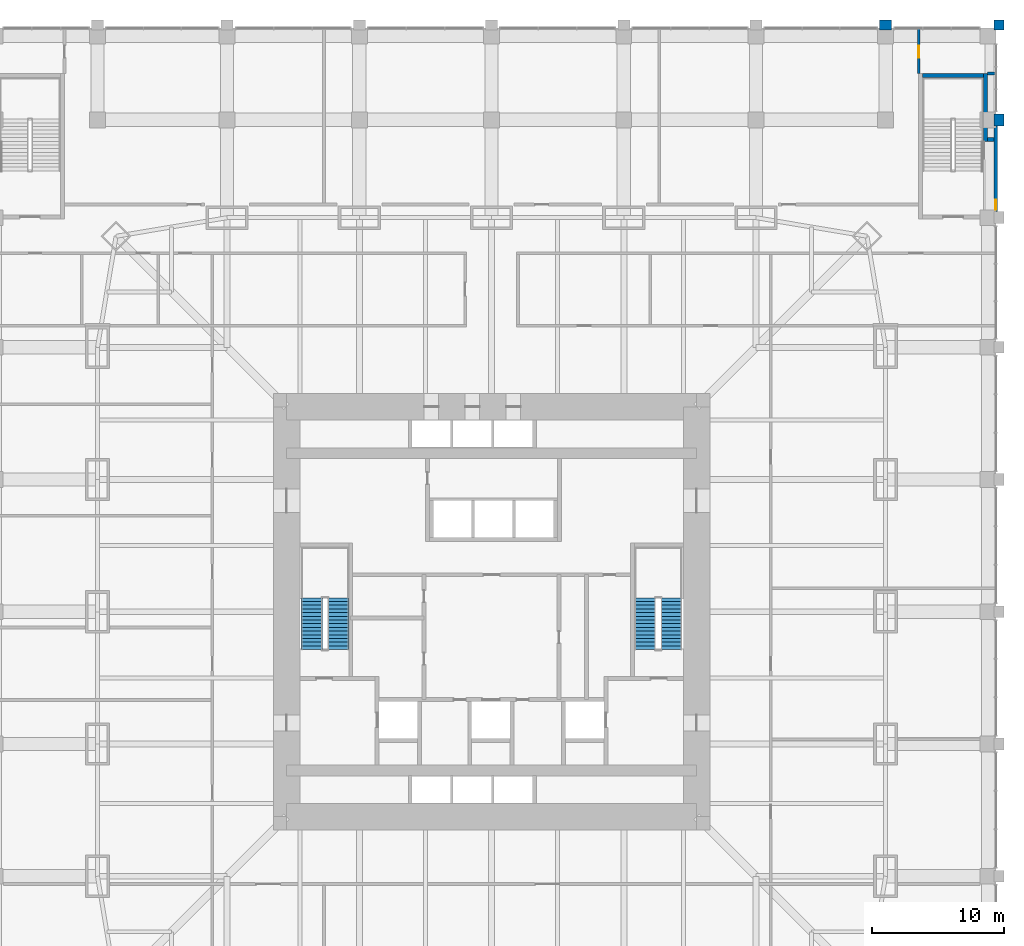
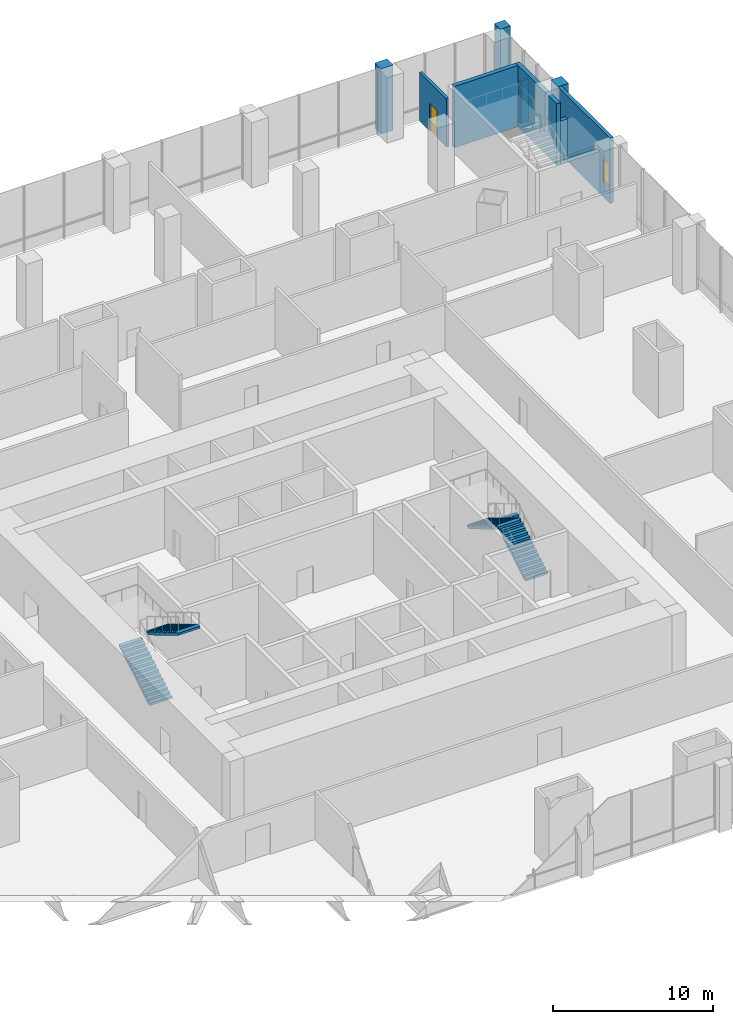
# One storey, part 21 of 24: 9 walls, 4 stair flights, 1 door, 1 window, 2 openings, 2 elements without a shape of their own.
"""IFC4 building model written with IfcOpenShell, lengths in metres."""

import ifcopenshell
import ifcopenshell.guid

model = None  # the IFC model being written
_history = None  # IfcOwnerHistory: only IFC2X3 demands one
_inside = {}  # id of a spatial element -> (the spatial element, [elements in it])
_under = {}  # id of a project, library or spatial element -> (it, [spatial elements below it])
_declared = {}  # id of a project -> (the project, [libraries it declares])
_typed = {}  # id of a type object -> (the type object, [elements of that type])
_made_of = {}  # id of a material, layer set ... -> (it, [elements and type objects made of it])


def new_model(schema):
    """Start an empty IFC model of exactly this schema.

    Asked for "IFC4X3", IfcOpenShell would pick the latest addendum, in which some entities
    have other attributes; the version numbers below select the first issue.
    IFC2X3 requires an IfcOwnerHistory on every rooted entity: one is made here for all.
    """
    global model, _history
    if schema == "IFC4X3":
        model = ifcopenshell.file(schema_version=(4, 3, 0, 0))
    else:
        model = ifcopenshell.file(schema=schema)
    _inside.clear()
    _under.clear()
    _declared.clear()
    _typed.clear()
    _made_of.clear()
    _history = None
    if model.schema == "IFC2X3":
        org = make("IfcOrganization", Name="unknown")
        user = make(
            "IfcPersonAndOrganization",
            ThePerson=make("IfcPerson", FamilyName="unknown"),
            TheOrganization=org,
        )
        app = make(
            "IfcApplication",
            ApplicationDeveloper=org,
            Version="unknown",
            ApplicationFullName="unknown",
            ApplicationIdentifier="unknown",
        )
        _history = make(
            "IfcOwnerHistory",
            OwningUser=user,
            OwningApplication=app,
            ChangeAction="ADDED",
            CreationDate=0,
        )
    return model


def make(cls, **values):
    """One entity of the class cls with the attributes given. An attribute that is None is left unset."""
    return model.create_entity(
        cls, **{name: value for name, value in values.items() if value is not None}
    )


def rooted(cls, **values):
    """An entity with a GlobalId (a new one), such as an element, a storey or a relation."""
    return make(cls, GlobalId=ifcopenshell.guid.new(), OwnerHistory=_history, **values)


def si_unit(unit_type, name, prefix=None):
    """IfcSIUnit, for example si_unit("LENGTHUNIT", "METRE", prefix="MILLI")."""
    return make("IfcSIUnit", UnitType=unit_type, Prefix=prefix, Name=name)


def assignment(units):
    """IfcUnitAssignment: the units of a project."""
    return None if units is None else make("IfcUnitAssignment", Units=units)


def point(xyz):
    """IfcCartesianPoint."""
    return None if xyz is None else make("IfcCartesianPoint", Coordinates=xyz)


def direction(xyz):
    """IfcDirection."""
    return None if xyz is None else make("IfcDirection", DirectionRatios=xyz)


def frame(location, z_axis=None, x_axis=None):
    """IfcAxis2Placement3D, a coordinate frame: its origin and axes. An axis left out is left unset."""
    return make(
        "IfcAxis2Placement3D",
        Location=point(location),
        Axis=direction(z_axis),
        RefDirection=direction(x_axis),
    )


def frame_2d(location, x_axis=None):
    """IfcAxis2Placement2D, a coordinate frame in the plane: its origin and x axis."""
    return make(
        "IfcAxis2Placement2D", Location=point(location), RefDirection=direction(x_axis)
    )


def origin():
    """The frame at (0, 0, 0) with its axes left unset."""
    return frame((0.0, 0.0, 0.0))


def place(relative_to, where):
    """IfcLocalPlacement: puts the frame where relative to a parent placement (None: the world)."""
    return make(
        "IfcLocalPlacement", PlacementRelTo=relative_to, RelativePlacement=where
    )


def context(
    kind, dimensions, precision=None, world=None, true_north=None, identifier=None
):
    """IfcGeometricRepresentationContext, for example the 3D "Model" context."""
    return make(
        "IfcGeometricRepresentationContext",
        ContextIdentifier=identifier,
        ContextType=kind,
        CoordinateSpaceDimension=dimensions,
        Precision=precision,
        WorldCoordinateSystem=world,
        TrueNorth=true_north,
    )


def subcontext(parent, identifier, kind, view, scale=None):
    """IfcGeometricRepresentationSubContext, for example "Body" below "Model"."""
    return make(
        "IfcGeometricRepresentationSubContext",
        ContextIdentifier=identifier,
        ContextType=kind,
        ParentContext=parent,
        TargetScale=scale,
        TargetView=view,
    )


def project(units=None, contexts=None):
    """IfcProject with its units and contexts."""
    return rooted(
        "IfcProject",
        Name="project",
        RepresentationContexts=contexts,
        UnitsInContext=assignment(units),
    )


def spatial(cls, under=None, at=None, **own):
    """A site, building, storey or space (cls), placed at a placement, below another one or the project."""
    s = rooted(cls, ObjectPlacement=at, **own)
    if under is not None:
        _under.setdefault(under.id(), (under, []))[1].append(s)
    return s


def polyline(points):
    """IfcPolyline through the points."""
    return make("IfcPolyline", Points=[point(p) for p in points])


def profile(cls, at=None, kind="AREA", **sizes):
    """A parametric profile (cls). Its sizes go by their IFC names, for example OverallWidth=200.0."""
    return make(cls, ProfileType=kind, Position=at, **sizes)


def rectangle(**sizes):
    """IfcRectangleProfileDef."""
    return profile("IfcRectangleProfileDef", **sizes)


def outline(outer, holes=None, kind="AREA"):
    """IfcArbitraryClosedProfileDef: a profile drawn as a closed curve; with holes, ...WithVoids."""
    if holes is None:
        return make("IfcArbitraryClosedProfileDef", ProfileType=kind, OuterCurve=outer)
    return make(
        "IfcArbitraryProfileDefWithVoids",
        ProfileType=kind,
        OuterCurve=outer,
        InnerCurves=holes,
    )


def extrude(swept, where, along, depth):
    """IfcExtrudedAreaSolid: the profile swept, set in the frame where, extruded along a direction by depth."""
    return make(
        "IfcExtrudedAreaSolid",
        SweptArea=swept,
        Position=where,
        ExtrudedDirection=direction(along),
        Depth=depth,
    )


def shape(context_of_items, identifier, shape_type, items):
    """IfcShapeRepresentation: the items that make up one representation, for example the "Body"."""
    return make(
        "IfcShapeRepresentation",
        ContextOfItems=context_of_items,
        RepresentationIdentifier=identifier,
        RepresentationType=shape_type,
        Items=items,
    )


def material(Name=None, Category=None):
    """IfcMaterial."""
    return make("IfcMaterial", Name=Name, Category=Category)


def layer(
    of_material, thickness, ventilated=None, Name=None, Category=None, Priority=None
):
    """IfcMaterialLayer: one layer of a wall or slab, of a material (None: an air gap)."""
    return make(
        "IfcMaterialLayer",
        Material=of_material,
        LayerThickness=thickness,
        IsVentilated=ventilated,
        Name=Name,
        Category=Category,
        Priority=Priority,
    )


def layer_set(layers, Name=None):
    """IfcMaterialLayerSet."""
    return make("IfcMaterialLayerSet", MaterialLayers=layers, LayerSetName=Name)


def made_of(thing, what):
    """Note that an element or type object is made of a material, layer set ...; save() writes the relation."""
    if what is not None:
        _made_of.setdefault(what.id(), (what, []))[1].append(thing)
    return thing


def type_object(cls, material=None, **own):
    """A type object (cls), such as IfcWallType, which elements share."""
    return made_of(rooted(cls, **own), material)


def element(
    cls,
    number,
    at=None,
    inside=None,
    cuts=None,
    type_object=None,
    material=None,
    context=None,
    identifier="Body",
    shape_type=None,
    held_by="IfcProductDefinitionShape",
    body=None,
    shapes=None,
    **own,
):
    """One element of the class cls, such as IfcWall. Its Tag is "e" and its number.

    at: its placement. inside: the storey or other place that contains it. cuts: it is an
    opening in that element (IfcRelVoidsElement). A single representation is given by context,
    identifier, shape_type and body (its items); several are given by shapes. held_by: the class
    of the entity that holds the representations. save() writes the other relations.
    """
    e = rooted(cls, Tag="e%d" % number, ObjectPlacement=at, **own)
    if body is not None:
        shapes = [shape(context, identifier, shape_type, body)]
    if shapes is not None:
        e.Representation = make(held_by, Representations=shapes)
    if inside is not None:
        _inside.setdefault(inside.id(), (inside, []))[1].append(e)
    if cuts is not None:
        rooted(
            "IfcRelVoidsElement", RelatingBuildingElement=cuts, RelatedOpeningElement=e
        )
    if type_object is not None:
        _typed.setdefault(type_object.id(), (type_object, []))[1].append(e)
    return made_of(e, material)


def fill(opening, filler):
    """IfcRelFillsElement: the door or window that sits in an opening."""
    return rooted(
        "IfcRelFillsElement",
        RelatingOpeningElement=opening,
        RelatedBuildingElement=filler,
    )


def aggregate(whole, parts):
    """IfcRelAggregates: a whole, such as a stair, and the parts it consists of."""
    return rooted("IfcRelAggregates", RelatingObject=whole, RelatedObjects=parts)


def save(model, path):
    """Write the relations noted so far, then the file.

    IfcRelAggregates (storeys below a building ...), IfcRelContainedInSpatialStructure (elements
    in a storey), IfcRelDefinesByType, IfcRelAssociatesMaterial and IfcRelDeclares: one each for
    every whole, place, type object, material and project.
    """
    for whole, parts in _under.values():
        aggregate(whole, parts)
    for where, things in _inside.values():
        rooted(
            "IfcRelContainedInSpatialStructure",
            RelatedElements=things,
            RelatingStructure=where,
        )
    for kind, things in _typed.values():
        rooted("IfcRelDefinesByType", RelatedObjects=things, RelatingType=kind)
    for what, things in _made_of.values():
        rooted("IfcRelAssociatesMaterial", RelatedObjects=things, RelatingMaterial=what)
    for by, libraries in _declared.values():
        rooted("IfcRelDeclares", RelatingContext=by, RelatedDefinitions=libraries)
    model.write(path)


model = new_model("IFC4")

# Units and contexts
model_context = context("Model", 3, precision=1e-05, world=origin(), true_north=direction((0.0, 1.0)))
body_context = subcontext(model_context, "Body", "Model", "MODEL_VIEW")
ifc_project = project(units=[si_unit("LENGTHUNIT", "METRE"), si_unit("AREAUNIT", "SQUARE_METRE"), si_unit("VOLUMEUNIT", "CUBIC_METRE"), si_unit("PLANEANGLEUNIT", "RADIAN"), si_unit("MASSUNIT", "GRAM", prefix="KILO")], contexts=[model_context])

# Site, building, storey
site_placement = place(None, origin())
site = spatial("IfcSite", under=ifc_project, at=site_placement, CompositionType="ELEMENT")
building_placement = place(site_placement, origin())
building = spatial("IfcBuilding", under=site, at=building_placement, Name="Khuree Lantern Residences", CompositionType="ELEMENT")
storey_placement = place(building_placement, frame((0.0, 0.0, 11.0)))
storey = spatial("IfcBuildingStorey", under=building, at=storey_placement, Name="L02", CompositionType="ELEMENT", Elevation=11.0)

# Walls
ifc_material_1 = material(Name="Dense concrete blockwork", Category="masonry")
ifc_layer_1 = layer(ifc_material_1, 0.300048828125)
ifc_layer_set_1 = layer_set([ifc_layer_1], Name="CORE PARTITION WALL CPW300 EI 120")
wall_type_1 = type_object("IfcWallType", Name="CORE PARTITION WALL CPW300 EI 120", PredefinedType="PARTITIONING", material=ifc_layer_set_1)
wall_1_placement = place(storey_placement, frame((38.0, 35.7060546875, 0.0), z_axis=(0.0, 0.0, 1.0), x_axis=(-1.0, 0.0, 0.0)))
element("IfcWall", 1, at=wall_1_placement, inside=storey, type_object=wall_type_1, Name="L02 STAIR ST4 WALL X", PredefinedType="PARTITIONING", context=body_context, shape_type="SweptSolid", body=[
    extrude(rectangle(XDim=0.5, YDim=0.300048828125, at=frame_2d((0.25, 0.0))), origin(), (0.0, 0.0, 1.0), 3.27001953125),
])
ifc_material_2 = material(Name="Flamed granite cladding on blockwork", Category="masonry")
ifc_layer_2 = layer(ifc_material_2, 0.75)
ifc_layer_set_2 = layer_set([ifc_layer_2], Name="PODIUM PIER PR1 900X750")
wall_type_2 = type_object("IfcWallType", Name="PODIUM PIER PR1 900X750", PredefinedType="SOLIDWALL", material=ifc_layer_set_2)
wall_2_placement = place(storey_placement, frame((38.375, 36.75, 0.0), z_axis=(0.0, 0.0, 1.0), x_axis=(0.0, 1.0, 0.0)))
element("IfcWall", 2, at=wall_2_placement, inside=storey, type_object=wall_type_2, Name="L02 EAST FACE PIER 7", PredefinedType="SOLIDWALL", context=body_context, shape_type="SweptSolid", body=[
    extrude(rectangle(XDim=0.89990234375, YDim=0.75, at=frame_2d((0.449951171875, 0.0))), origin(), (0.0, 0.0, 1.0), 5.0),
])
wall_3_placement = place(storey_placement, frame((38.375, 44.0, 0.0), z_axis=(0.0, 0.0, 1.0), x_axis=(0.0, 1.0, 0.0)))
element("IfcWall", 3, at=wall_3_placement, inside=storey, type_object=wall_type_2, Name="L02 EAST FACE PIER 8", PredefinedType="SOLIDWALL", context=body_context, shape_type="SweptSolid", body=[
    extrude(rectangle(XDim=0.75, YDim=0.75, at=frame_2d((0.375, 0.0))), origin(), (0.0, 0.0, 1.0), 5.0),
])
wall_4_placement = place(storey_placement, frame((30.25, 44.375, 0.0), z_axis=(0.0, 0.0, 1.0), x_axis=(-1.0, 0.0, 0.0)))
element("IfcWall", 4, at=wall_4_placement, inside=storey, type_object=wall_type_2, Name="L02 NORTH FACE PIER 1", PredefinedType="SOLIDWALL", context=body_context, shape_type="SweptSolid", body=[
    extrude(rectangle(XDim=0.89990234375, YDim=0.75, at=frame_2d((0.449951171875, 0.0))), origin(), (0.0, 0.0, 1.0), 5.0),
])

# Wall, opening, window
ifc_layer_3 = layer(ifc_material_2, 0.25)
ifc_layer_set_3 = layer_set([ifc_layer_3], Name="PODIUM STONE WALL SW1 250")
wall_type_3 = type_object("IfcWallType", Name="PODIUM STONE WALL SW1 250", PredefinedType="SOLIDWALL", material=ifc_layer_set_3)
wall_5_placement = place(storey_placement, frame((38.125, 30.25, 0.0), z_axis=(0.0, 0.0, 1.0), x_axis=(0.0, 1.0, 0.0)))
wall_5 = element("IfcWall", 5, at=wall_5_placement, inside=storey, type_object=wall_type_3, Name="L02 EAST FACE BAY 7 STONE WALL", PredefinedType="SOLIDWALL", context=body_context, shape_type="SweptSolid", body=[
    extrude(rectangle(XDim=6.5, YDim=0.25, at=frame_2d((3.25, 0.0))), origin(), (0.0, 0.0, 1.0), 5.0),
])
opening_1_placement = place(wall_5_placement, frame((0.14990234375, 0.0, 1.199951171875)))
opening_1 = element("IfcOpeningElement", 6, at=opening_1_placement, cuts=wall_5, Name="Opening L02-W01", PredefinedType="OPENING", context=body_context, shape_type="SweptSolid", body=[
    extrude(rectangle(XDim=0.75, YDim=1.699951171875, at=frame_2d((0.375, 0.85009765625))), frame((0.0, 0.135009765625, 0.0), z_axis=(0.0, -1.0, 0.0), x_axis=(1.0, 0.0, 0.0)), (0.0, 0.0, 1.0), 0.27001953125),
])
ifc_material_3 = material(Name="Aluminium frame, triple glazing", Category="aluminium")
window_type = type_object("IfcWindowType", Name="STAIR WINDOW W1 750X1700", PartitioningType="SINGLE_PANEL", PredefinedType="WINDOW", material=ifc_material_3)
window_placement = place(opening_1_placement, origin())
window = element("IfcWindow", 7, at=window_placement, inside=storey, type_object=window_type, Name="Stair ST4 window L02-W01", OverallHeight=1.699951171875, OverallWidth=0.75, PartitioningType="SINGLE_PANEL", PredefinedType="WINDOW", context=body_context, shape_type="SweptSolid", body=[
    extrude(rectangle(XDim=0.75, YDim=1.699951171875, at=frame_2d((0.375, 0.85009765625))), frame((0.0, 0.030029296875, 0.0), z_axis=(0.0, -1.0, 0.0), x_axis=(1.0, 0.0, 0.0)), (0.0, 0.0, 1.0), 0.06005859375),
])
fill(opening_1, window)

# Wall
ifc_layer_4 = layer(ifc_material_1, 0.199951171875)
ifc_layer_set_4 = layer_set([ifc_layer_4], Name="ROOM WALL RMW200")
wall_type_4 = type_object("IfcWallType", Name="ROOM WALL RMW200", PredefinedType="SOLIDWALL", material=ifc_layer_set_4)
wall_6_placement = place(storey_placement, frame((37.52001953125, 40.699951171875, 0.0), z_axis=(0.0, 0.0, 1.0), x_axis=(1.0, 0.0, 0.0)))
element("IfcWall", 8, at=wall_6_placement, inside=storey, type_object=wall_type_4, Name="L02 ROOM WALL 43", PredefinedType="SOLIDWALL", context=body_context, shape_type="SweptSolid", body=[
    extrude(rectangle(XDim=0.554931640625, YDim=0.199951171875, at=frame_2d((0.27734375, 0.0))), origin(), (0.0, 0.0, 1.0), 3.27001953125),
])

# Wall, opening, door
wall_7_placement = place(storey_placement, frame((32.300048828125, 40.719970703125, 0.0), z_axis=(0.0, 0.0, 1.0), x_axis=(0.0, 1.0, 0.0)))
wall_7 = element("IfcWall", 9, at=wall_7_placement, inside=storey, type_object=wall_type_4, Name="L02 ROOM WALL 45", PredefinedType="SOLIDWALL", context=body_context, shape_type="SweptSolid", body=[
    extrude(rectangle(XDim=3.35498046875, YDim=0.199951171875, at=frame_2d((1.677490234375, 0.0))), origin(), (0.0, 0.0, 1.0), 3.699951171875),
])
opening_2_placement = place(wall_7_placement, frame((1.179931640625, 0.0, 0.0)))
opening_2 = element("IfcOpeningElement", 10, at=opening_2_placement, cuts=wall_7, Name="Opening 02-047", PredefinedType="OPENING", context=body_context, shape_type="SweptSolid", body=[
    extrude(rectangle(XDim=0.89990234375, YDim=2.10009765625, at=frame_2d((0.449951171875, 1.050048828125))), frame((0.0, 0.10986328125, 0.0), z_axis=(0.0, -1.0, 0.0), x_axis=(1.0, 0.0, 0.0)), (0.0, 0.0, 1.0), 0.219970703125),
])
ifc_material_4 = material(Name="Timber door leaf in hardwood frame", Category="wood")
door_type = type_object("IfcDoorType", Name="WC DOOR 900X2100", OperationType="SINGLE_SWING_LEFT", PredefinedType="DOOR", material=ifc_material_4)
door_placement = place(opening_2_placement, origin())
door = element("IfcDoor", 11, at=door_placement, inside=storey, type_object=door_type, Name="Cleaner's store door 02-047", OperationType="SINGLE_SWING_LEFT", OverallHeight=2.10009765625, OverallWidth=0.89990234375, PredefinedType="DOOR", context=body_context, shape_type="SweptSolid", body=[
    extrude(rectangle(XDim=0.89990234375, YDim=2.10009765625, at=frame_2d((0.449951171875, 1.050048828125))), frame((0.0, 0.02490234375, 0.0), z_axis=(0.0, -1.0, 0.0), x_axis=(1.0, 0.0, 0.0)), (0.0, 0.0, 1.0), 0.050048828125),
])
fill(opening_2, door)

# Walls
ifc_material_5 = material(Name="Concrete C50/60", Category="concrete")
ifc_layer_5 = layer(ifc_material_5, 0.300048828125)
ifc_layer_set_5 = layer_set([ifc_layer_5], Name="STAIR WALL SRW300 C50/60 REI 240")
wall_type_5 = type_object("IfcWallType", Name="STAIR WALL SRW300 C50/60 REI 240", PredefinedType="SOLIDWALL", material=ifc_layer_set_5)
wall_8_placement = place(storey_placement, frame((37.35009765625, 35.555908203125, 0.0), z_axis=(0.0, 0.0, 1.0), x_axis=(0.0, 1.0, 0.0)))
element("IfcWall", 12, at=wall_8_placement, inside=storey, type_object=wall_type_5, Name="L02 STAIR ST4 WALL O", PredefinedType="SOLIDWALL", context=body_context, shape_type="SweptSolid", body=[
    extrude(rectangle(XDim=5.14404296875, YDim=0.300048828125, at=frame_2d((2.572021484375, 0.0))), origin(), (0.0, 0.0, 1.0), 4.699951171875),
])
wall_9_placement = place(storey_placement, frame((37.199951171875, 40.550048828125, 0.0), z_axis=(0.0, 0.0, 1.0), x_axis=(-1.0, 0.0, 0.0)))
element("IfcWall", 13, at=wall_9_placement, inside=storey, type_object=wall_type_5, Name="L02 STAIR ST4 WALL N", PredefinedType="SOLIDWALL", context=body_context, shape_type="SweptSolid", body=[
    extrude(rectangle(XDim=4.599853515625, YDim=0.300048828125, at=frame_2d((2.2998046875, 0.0))), origin(), (0.0, 0.0, 1.0), 4.699951171875),
])

# Stair, stair flights
ifc_material_6 = material(Name="Concrete C40/50", Category="concrete")
stair_type = type_object("IfcStairType", Name="STAIR ST1 HALF TURN 3600", PredefinedType="HALF_TURN_STAIR", material=ifc_material_6)
stair_1_placement = place(storey_placement, origin())
stair_1 = element("IfcStair", 14, at=stair_1_placement, inside=storey, type_object=stair_type, Name="Stair ST1", PredefinedType="HALF_TURN_STAIR")
stair_flight_type = type_object("IfcStairFlightType", Name="STAIR FLIGHT SF1 1600", PredefinedType="STRAIGHT", material=ifc_material_6)
stair_flight_1_placement = place(storey_placement, frame((-13.60009765625, -2.860107421875, 0.0), z_axis=(0.0, 0.0, 1.0), x_axis=(0.0, 1.0, 0.0)))
stair_flight_1 = element("IfcStairFlight", 15, at=stair_flight_1_placement, type_object=stair_flight_type, Name="ST1 flight 1", NumberOfRisers=15, NumberOfTreads=14, PredefinedType="STRAIGHT", RiserHeight=0.166666667, TreadLength=0.28, context=body_context, shape_type="SweptSolid", body=[
    extrude(outline(polyline([(0.0, 0.0), (0.0, 0.166748046875), (0.280029296875, 0.166748046875), (0.280029296875, 0.333251953125), (0.56005859375, 0.333251953125), (0.56005859375, 0.5), (0.840087890625, 0.5), (0.840087890625, 0.666748046875), (1.1201171875, 0.666748046875), (1.1201171875, 0.833251953125), (1.39990234375, 0.833251953125), (1.39990234375, 1.0), (1.679931640625, 1.0), (1.679931640625, 1.166748046875), (1.9599609375, 1.166748046875), (1.9599609375, 1.333251953125), (2.239990234375, 1.333251953125), (2.239990234375, 1.5), (2.52001953125, 1.5), (2.52001953125, 1.666748046875), (2.800048828125, 1.666748046875), (2.800048828125, 1.833251953125), (3.080078125, 1.833251953125), (3.080078125, 2.0), (3.360107421875, 2.0), (3.360107421875, 2.166748046875), (3.639892578125, 2.166748046875), (3.639892578125, 2.333251953125), (3.919921875, 2.333251953125), (3.919921875, 2.5), (3.919921875, 2.158935546875), (0.29296875, 0.0), (0.0, 0.0)])), frame((0.0, 0.800048828125, 0.0), z_axis=(0.0, -1.0, 0.0), x_axis=(1.0, 0.0, 0.0)), (0.0, 0.0, 1.0), 1.60009765625),
])
stair_flight_2_placement = place(storey_placement, frame((-11.60009765625, 1.06005859375, 2.5), z_axis=(0.0, 0.0, 1.0), x_axis=(0.0, -1.0, 0.0)))
stair_flight_2 = element("IfcStairFlight", 16, at=stair_flight_2_placement, type_object=stair_flight_type, Name="ST1 flight 2", NumberOfRisers=15, NumberOfTreads=14, PredefinedType="STRAIGHT", RiserHeight=0.166666667, TreadLength=0.28, context=body_context, shape_type="SweptSolid", body=[
    extrude(outline(polyline([(0.0, 0.0), (0.0, 0.166748046875), (0.280029296875, 0.166748046875), (0.280029296875, 0.333251953125), (0.56005859375, 0.333251953125), (0.56005859375, 0.5), (0.840087890625, 0.5), (0.840087890625, 0.666748046875), (1.1201171875, 0.666748046875), (1.1201171875, 0.833251953125), (1.39990234375, 0.833251953125), (1.39990234375, 1.0), (1.679931640625, 1.0), (1.679931640625, 1.166748046875), (1.9599609375, 1.166748046875), (1.9599609375, 1.333251953125), (2.239990234375, 1.333251953125), (2.239990234375, 1.5), (2.52001953125, 1.5), (2.52001953125, 1.666748046875), (2.800048828125, 1.666748046875), (2.800048828125, 1.833251953125), (3.080078125, 1.833251953125), (3.080078125, 2.0), (3.360107421875, 2.0), (3.360107421875, 2.166748046875), (3.639892578125, 2.166748046875), (3.639892578125, 2.333251953125), (3.919921875, 2.333251953125), (3.919921875, 2.5), (3.919921875, 2.158935546875), (0.29296875, 0.0), (0.0, 0.0)])), frame((0.0, 0.800048828125, 0.0), z_axis=(0.0, -1.0, 0.0), x_axis=(1.0, 0.0, 0.0)), (0.0, 0.0, 1.0), 1.60009765625),
])
aggregate(stair_1, [stair_flight_1, stair_flight_2])

stair_2_placement = place(storey_placement, origin())
stair_2 = element("IfcStair", 17, at=stair_2_placement, inside=storey, type_object=stair_type, Name="Stair ST2", PredefinedType="HALF_TURN_STAIR")
stair_flight_3_placement = place(storey_placement, frame((13.60009765625, -2.860107421875, 0.0), z_axis=(0.0, 0.0, 1.0), x_axis=(0.0, 1.0, 0.0)))
stair_flight_3 = element("IfcStairFlight", 18, at=stair_flight_3_placement, type_object=stair_flight_type, Name="ST2 flight 1", NumberOfRisers=15, NumberOfTreads=14, PredefinedType="STRAIGHT", RiserHeight=0.166666667, TreadLength=0.28, context=body_context, shape_type="SweptSolid", body=[
    extrude(outline(polyline([(0.0, 0.0), (0.0, 0.166748046875), (0.280029296875, 0.166748046875), (0.280029296875, 0.333251953125), (0.56005859375, 0.333251953125), (0.56005859375, 0.5), (0.840087890625, 0.5), (0.840087890625, 0.666748046875), (1.1201171875, 0.666748046875), (1.1201171875, 0.833251953125), (1.39990234375, 0.833251953125), (1.39990234375, 1.0), (1.679931640625, 1.0), (1.679931640625, 1.166748046875), (1.9599609375, 1.166748046875), (1.9599609375, 1.333251953125), (2.239990234375, 1.333251953125), (2.239990234375, 1.5), (2.52001953125, 1.5), (2.52001953125, 1.666748046875), (2.800048828125, 1.666748046875), (2.800048828125, 1.833251953125), (3.080078125, 1.833251953125), (3.080078125, 2.0), (3.360107421875, 2.0), (3.360107421875, 2.166748046875), (3.639892578125, 2.166748046875), (3.639892578125, 2.333251953125), (3.919921875, 2.333251953125), (3.919921875, 2.5), (3.919921875, 2.158935546875), (0.29296875, 0.0), (0.0, 0.0)])), frame((0.0, 0.800048828125, 0.0), z_axis=(0.0, -1.0, 0.0), x_axis=(1.0, 0.0, 0.0)), (0.0, 0.0, 1.0), 1.60009765625),
])
stair_flight_4_placement = place(storey_placement, frame((11.60009765625, 1.06005859375, 2.5), z_axis=(0.0, 0.0, 1.0), x_axis=(0.0, -1.0, 0.0)))
stair_flight_4 = element("IfcStairFlight", 19, at=stair_flight_4_placement, type_object=stair_flight_type, Name="ST2 flight 2", NumberOfRisers=15, NumberOfTreads=14, PredefinedType="STRAIGHT", RiserHeight=0.166666667, TreadLength=0.28, context=body_context, shape_type="SweptSolid", body=[
    extrude(outline(polyline([(0.0, 0.0), (0.0, 0.166748046875), (0.280029296875, 0.166748046875), (0.280029296875, 0.333251953125), (0.56005859375, 0.333251953125), (0.56005859375, 0.5), (0.840087890625, 0.5), (0.840087890625, 0.666748046875), (1.1201171875, 0.666748046875), (1.1201171875, 0.833251953125), (1.39990234375, 0.833251953125), (1.39990234375, 1.0), (1.679931640625, 1.0), (1.679931640625, 1.166748046875), (1.9599609375, 1.166748046875), (1.9599609375, 1.333251953125), (2.239990234375, 1.333251953125), (2.239990234375, 1.5), (2.52001953125, 1.5), (2.52001953125, 1.666748046875), (2.800048828125, 1.666748046875), (2.800048828125, 1.833251953125), (3.080078125, 1.833251953125), (3.080078125, 2.0), (3.360107421875, 2.0), (3.360107421875, 2.166748046875), (3.639892578125, 2.166748046875), (3.639892578125, 2.333251953125), (3.919921875, 2.333251953125), (3.919921875, 2.5), (3.919921875, 2.158935546875), (0.29296875, 0.0), (0.0, 0.0)])), frame((0.0, 0.800048828125, 0.0), z_axis=(0.0, -1.0, 0.0), x_axis=(1.0, 0.0, 0.0)), (0.0, 0.0, 1.0), 1.60009765625),
])
aggregate(stair_2, [stair_flight_3, stair_flight_4])

save(model, "model.ifc")
